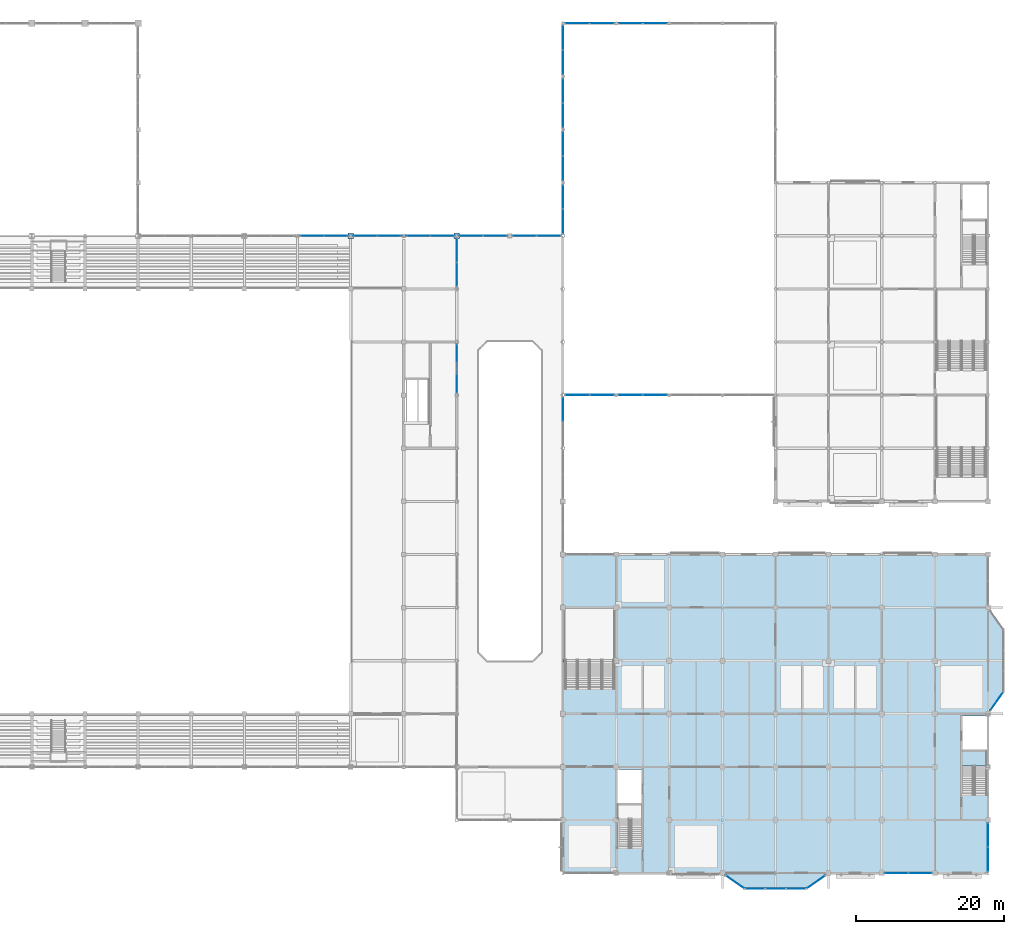
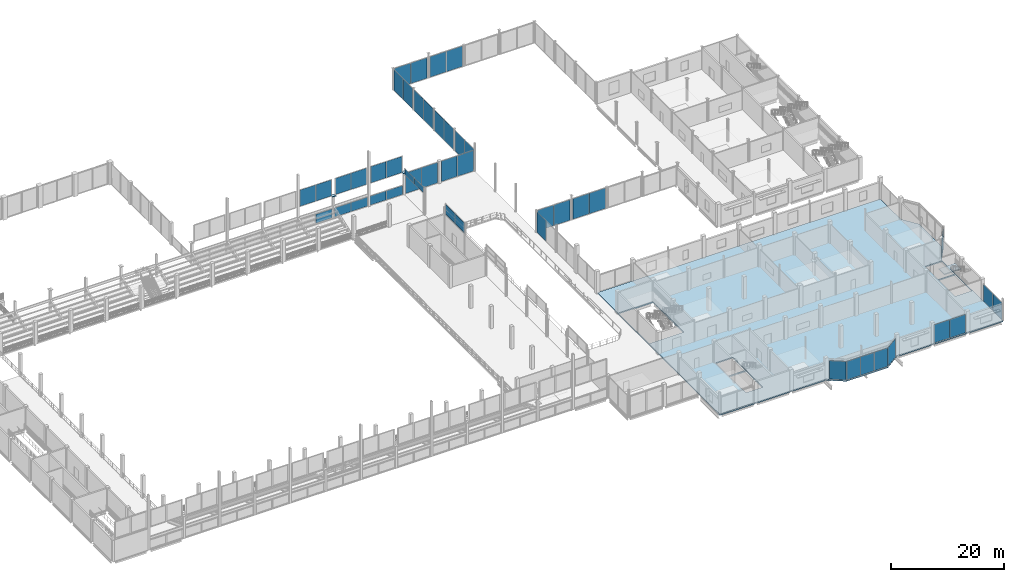
# One storey, part 84 of 120: 50 plates, 2 slabs, 27 elements without a shape of their own.
"""IFC4 building model written with IfcOpenShell, lengths in metres."""

from ifc_helpers import new_model, si_unit, direction, frame, origin, origin_2d, place, context, subcontext, project, spatial, polyline, rectangle, outline, extrude, material, layer, layer_set, type_object, element, aggregate, save


model = new_model("IFC4")

# Units and contexts
model_context = context("Model", 3, precision=1e-05, world=origin(), true_north=direction((0.0, 1.0)))
body_context = subcontext(model_context, "Body", "Model", "MODEL_VIEW")
ifc_project = project(units=[si_unit("LENGTHUNIT", "METRE"), si_unit("AREAUNIT", "SQUARE_METRE"), si_unit("VOLUMEUNIT", "CUBIC_METRE"), si_unit("PLANEANGLEUNIT", "RADIAN"), si_unit("MASSUNIT", "GRAM", prefix="KILO")], contexts=[model_context])

# Site, building, storey
site_placement = place(None, origin())
site = spatial("IfcSite", under=ifc_project, at=site_placement, CompositionType="ELEMENT")
building_placement = place(site_placement, origin())
building = spatial("IfcBuilding", under=site, at=building_placement, Name="Vesperath Aquatics Centre", CompositionType="ELEMENT")
storey_placement = place(building_placement, frame((0.0, 0.0, 10.199951171875)))
storey = spatial("IfcBuildingStorey", under=building, at=storey_placement, Name="L02", CompositionType="ELEMENT", Elevation=10.199951171875)

# Plates
ifc_material_1 = material(Name="Steel Q355D", Category="steel")
ifc_layer_1 = layer(ifc_material_1, 0.035888671875)
ifc_layer_set_1 = layer_set([ifc_layer_1], Name="Steel Q355D")
plate_type_1 = type_object("IfcPlateType", Name="PT-BP02", PredefinedType="SHEET", material=ifc_layer_set_1)
for number, where, z_axis, x_axis, name in (
    (1, (86.39990234375, 86.39990234375, 4.76220703125), (0.0, 0.0, 1.0), (1.0, 0.0, 0.0), "Truss Bearing Base Plate NP02 G13/N"),
    (2, (100.800048828125, 86.39990234375, 4.76220703125), (0.0, 0.0, 1.0), (1.0, 0.0, 0.0), "Truss Bearing Base Plate NP02 G15/N"),
):
    element("IfcPlate", number, at=place(storey_placement, frame(where, z_axis=z_axis, x_axis=x_axis)), inside=storey, type_object=plate_type_1, Name=name, PredefinedType="SHEET", context=body_context, shape_type="SweptSolid", body=[
        extrude(rectangle(XDim=0.75, YDim=0.75, at=origin_2d()), origin(), (0.0, 0.0, 1.0), 0.035888671875),
    ])

# Curtain wall, plate
ifc_material_2 = material(Name="Thermally broken anodised bronze aluminium curtain wall", Category="aluminium")
curtain_wall_type_1 = type_object("IfcCurtainWallType", Name="CW-02", PredefinedType="NOTDEFINED", material=ifc_material_2)
curtain_wall_1_placement = place(storey_placement, origin())
curtain_wall_1 = element("IfcCurtainWall", 3, at=curtain_wall_1_placement, inside=storey, type_object=curtain_wall_type_1, Name="South Boulevard Bow Oriel Curtain Wall L02-W", PredefinedType="NOTDEFINED")
ifc_material_3 = material(Name="Triple low-E argon insulated vision glass", Category="glass")
ifc_layer_2 = layer(ifc_material_3, 0.035888671875)
ifc_layer_set_2 = layer_set([ifc_layer_2], Name="Triple low-E argon insulated vision glass")
plate_type_2 = type_object("IfcPlateType", Name="PT-CWP02", PredefinedType="CURTAIN_PANEL", material=ifc_layer_set_2)
plate_1_placement = place(storey_placement, frame((138.514892578125, -1.200439453125, 0.06982421875), z_axis=(0.0, 0.0, 1.0), x_axis=(0.819231920515, -0.57346234437, 0.0)))
plate_1 = element("IfcPlate", 4, at=plate_1_placement, type_object=plate_type_2, Name="CW02 panel 1.1", PredefinedType="CURTAIN_PANEL", context=body_context, shape_type="SweptSolid", body=[
    extrude(rectangle(XDim=2.9970703125, YDim=0.035888671875, at=origin_2d()), origin(), (0.0, 0.0, 1.0), 3.969970703125),
])
aggregate(curtain_wall_1, [plate_1])

# Curtain wall, plates
curtain_wall_2_placement = place(storey_placement, origin())
curtain_wall_2 = element("IfcCurtainWall", 5, at=curtain_wall_2_placement, inside=storey, type_object=curtain_wall_type_1, Name="South Boulevard Bow Oriel Curtain Wall L02-C", PredefinedType="NOTDEFINED")
plate_2_placement = place(storey_placement, frame((141.217529296875, -2.10009765625, 0.06982421875), z_axis=(0.0, 0.0, 1.0), x_axis=(1.0, 0.0, 0.0)))
plate_2 = element("IfcPlate", 6, at=plate_2_placement, type_object=plate_type_2, Name="CW02 panel 1.1", PredefinedType="CURTAIN_PANEL", context=body_context, shape_type="SweptSolid", body=[
    extrude(rectangle(XDim=2.695068359375, YDim=0.035888671875, at=origin_2d()), origin(), (0.0, 0.0, 1.0), 3.969970703125),
])
plate_3_placement = place(storey_placement, frame((144.0, -2.10009765625, 0.06982421875), z_axis=(0.0, 0.0, 1.0), x_axis=(1.0, 0.0, 0.0)))
plate_3 = element("IfcPlate", 7, at=plate_3_placement, type_object=plate_type_2, Name="CW02 panel 2.1", PredefinedType="CURTAIN_PANEL", context=body_context, shape_type="SweptSolid", body=[
    extrude(rectangle(XDim=2.72998046875, YDim=0.035888671875, at=origin_2d()), origin(), (0.0, 0.0, 1.0), 3.969970703125),
])
plate_4_placement = place(storey_placement, frame((146.782470703125, -2.10009765625, 0.06982421875), z_axis=(0.0, 0.0, 1.0), x_axis=(1.0, 0.0, 0.0)))
plate_4 = element("IfcPlate", 8, at=plate_4_placement, type_object=plate_type_2, Name="CW02 panel 3.1", PredefinedType="CURTAIN_PANEL", context=body_context, shape_type="SweptSolid", body=[
    extrude(rectangle(XDim=2.695068359375, YDim=0.035888671875, at=origin_2d()), origin(), (0.0, 0.0, 1.0), 3.969970703125),
])
aggregate(curtain_wall_2, [plate_2, plate_3, plate_4])

# Curtain wall, plate
curtain_wall_3_placement = place(storey_placement, origin())
curtain_wall_3 = element("IfcCurtainWall", 9, at=curtain_wall_3_placement, inside=storey, type_object=curtain_wall_type_1, Name="South Boulevard Bow Oriel Curtain Wall L02-E", PredefinedType="NOTDEFINED")
plate_5_placement = place(storey_placement, frame((149.485107421875, -1.200439453125, 0.06982421875), z_axis=(0.0, 0.0, 1.0), x_axis=(0.819231920515, 0.57346234437, 0.0)))
plate_5 = element("IfcPlate", 10, at=plate_5_placement, type_object=plate_type_2, Name="CW02 panel 1.1", PredefinedType="CURTAIN_PANEL", context=body_context, shape_type="SweptSolid", body=[
    extrude(rectangle(XDim=2.9970703125, YDim=0.035888671875, at=origin_2d()), origin(), (0.0, 0.0, 1.0), 3.969970703125),
])
aggregate(curtain_wall_3, [plate_5])

# Curtain wall, plates
curtain_wall_type_2 = type_object("IfcCurtainWallType", Name="CW-06", PredefinedType="NOTDEFINED", material=ifc_material_2)
curtain_wall_4_placement = place(storey_placement, origin())
curtain_wall_4 = element("IfcCurtainWall", 11, at=curtain_wall_4_placement, inside=storey, type_object=curtain_wall_type_2, Name="Facade Curtain Wall CW06 L02_S_22_00", PredefinedType="NOTDEFINED")
ifc_layer_3 = layer(ifc_material_3, 0.035888671875)
ifc_layer_set_3 = layer_set([ifc_layer_3], Name="Triple low-E argon insulated vision glass")
plate_type_3 = type_object("IfcPlateType", Name="PT-CWP05", PredefinedType="CURTAIN_PANEL", material=ifc_layer_set_3)
plate_6_placement = place(storey_placement, frame((160.392578125, 0.0, 0.0703125), z_axis=(0.0, 0.0, 1.0), x_axis=(1.0, 0.0, 0.0)))
plate_6 = element("IfcPlate", 12, at=plate_6_placement, type_object=plate_type_3, Name="CW06 panel 1.1", PredefinedType="CURTAIN_PANEL", context=body_context, shape_type="SweptSolid", body=[
    extrude(rectangle(XDim=3.14501953125, YDim=0.035888671875, at=origin_2d()), origin(), (0.0, 0.0, 1.0), 3.931884765625),
])
plate_7_placement = place(storey_placement, frame((163.607421875, 0.0, 0.0703125), z_axis=(0.0, 0.0, 1.0), x_axis=(1.0, 0.0, 0.0)))
plate_7 = element("IfcPlate", 13, at=plate_7_placement, type_object=plate_type_3, Name="CW06 panel 2.1", PredefinedType="CURTAIN_PANEL", context=body_context, shape_type="SweptSolid", body=[
    extrude(rectangle(XDim=3.14501953125, YDim=0.035888671875, at=origin_2d()), origin(), (0.0, 0.0, 1.0), 3.931884765625),
])
aggregate(curtain_wall_4, [plate_6, plate_7])

curtain_wall_5_placement = place(storey_placement, origin())
curtain_wall_5 = element("IfcCurtainWall", 14, at=curtain_wall_5_placement, inside=storey, type_object=curtain_wall_type_2, Name="Facade Curtain Wall CW06 L02_S_16_09", PredefinedType="NOTDEFINED")
plate_8_placement = place(storey_placement, frame((117.13818359375, 64.800048828125, 0.070068359375), z_axis=(0.0, 0.0, 1.0), x_axis=(1.0, 0.0, 0.0)))
plate_8 = element("IfcPlate", 15, at=plate_8_placement, type_object=plate_type_3, Name="CW06 panel 1.1", PredefinedType="CURTAIN_PANEL", context=body_context, shape_type="SweptSolid", body=[
    extrude(rectangle(XDim=3.279052734375, YDim=0.035888671875, at=origin_2d()), origin(), (0.0, 0.0, 1.0), 4.419921875),
])
plate_9_placement = place(storey_placement, frame((120.4873046875, 64.800048828125, 0.070068359375), z_axis=(0.0, 0.0, 1.0), x_axis=(1.0, 0.0, 0.0)))
plate_9 = element("IfcPlate", 16, at=plate_9_placement, type_object=plate_type_3, Name="CW06 panel 2.1", PredefinedType="CURTAIN_PANEL", context=body_context, shape_type="SweptSolid", body=[
    extrude(rectangle(XDim=3.279052734375, YDim=0.035888671875, at=origin_2d()), origin(), (0.0, 0.0, 1.0), 4.419921875),
])
aggregate(curtain_wall_5, [plate_8, plate_9])

curtain_wall_6_placement = place(storey_placement, origin())
curtain_wall_6 = element("IfcCurtainWall", 17, at=curtain_wall_6_placement, inside=storey, type_object=curtain_wall_type_2, Name="Facade Curtain Wall CW06 L02_S_17_09", PredefinedType="NOTDEFINED")
plate_10_placement = place(storey_placement, frame((124.319091796875, 64.800048828125, 0.070068359375), z_axis=(0.0, 0.0, 1.0), x_axis=(1.0, 0.0, 0.0)))
plate_10 = element("IfcPlate", 18, at=plate_10_placement, type_object=plate_type_3, Name="CW06 panel 1.1", PredefinedType="CURTAIN_PANEL", context=body_context, shape_type="SweptSolid", body=[
    extrude(rectangle(XDim=3.291748046875, YDim=0.035888671875, at=origin_2d()), origin(), (0.0, 0.0, 1.0), 4.419921875),
])
plate_11_placement = place(storey_placement, frame((127.680908203125, 64.800048828125, 0.070068359375), z_axis=(0.0, 0.0, 1.0), x_axis=(1.0, 0.0, 0.0)))
plate_11 = element("IfcPlate", 19, at=plate_11_placement, type_object=plate_type_3, Name="CW06 panel 2.1", PredefinedType="CURTAIN_PANEL", context=body_context, shape_type="SweptSolid", body=[
    extrude(rectangle(XDim=3.291748046875, YDim=0.035888671875, at=origin_2d()), origin(), (0.0, 0.0, 1.0), 4.419921875),
])
aggregate(curtain_wall_6, [plate_10, plate_11])

# Curtain wall, plate
curtain_wall_7_placement = place(storey_placement, origin())
curtain_wall_7 = element("IfcCurtainWall", 20, at=curtain_wall_7_placement, inside=storey, type_object=curtain_wall_type_2, Name="Facade Curtain Wall CW06 L02_N_11_12", PredefinedType="NOTDEFINED")
plate_12_placement = place(storey_placement, frame((84.480712890625, 86.39990234375, 0.070068359375), z_axis=(0.0, 0.0, 1.0), x_axis=(1.0, 0.0, 0.0)))
plate_12 = element("IfcPlate", 21, at=plate_12_placement, type_object=plate_type_3, Name="CW06 panel 2.1", PredefinedType="CURTAIN_PANEL", context=body_context, shape_type="SweptSolid", body=[
    extrude(rectangle(XDim=3.29150390625, YDim=0.035888671875, at=origin_2d()), origin(), (0.0, 0.0, 1.0), 1.93994140625),
])
aggregate(curtain_wall_7, [plate_12])

# Curtain wall, plates
curtain_wall_8_placement = place(storey_placement, origin())
curtain_wall_8 = element("IfcCurtainWall", 22, at=curtain_wall_8_placement, inside=storey, type_object=curtain_wall_type_2, Name="Facade Curtain Wall CW06 L02_N_12_12", PredefinedType="NOTDEFINED")
plate_13_placement = place(storey_placement, frame((88.3193359375, 86.39990234375, 0.070068359375), z_axis=(0.0, 0.0, 1.0), x_axis=(1.0, 0.0, 0.0)))
plate_13 = element("IfcPlate", 23, at=plate_13_placement, type_object=plate_type_3, Name="CW06 panel 1.1", PredefinedType="CURTAIN_PANEL", context=body_context, shape_type="SweptSolid", body=[
    extrude(rectangle(XDim=3.29150390625, YDim=0.035888671875, at=origin_2d()), origin(), (0.0, 0.0, 1.0), 1.93994140625),
])
plate_14_placement = place(storey_placement, frame((91.6806640625, 86.39990234375, 0.070068359375), z_axis=(0.0, 0.0, 1.0), x_axis=(1.0, 0.0, 0.0)))
plate_14 = element("IfcPlate", 24, at=plate_14_placement, type_object=plate_type_3, Name="CW06 panel 2.1", PredefinedType="CURTAIN_PANEL", context=body_context, shape_type="SweptSolid", body=[
    extrude(rectangle(XDim=3.29150390625, YDim=0.035888671875, at=origin_2d()), origin(), (0.0, 0.0, 1.0), 1.93994140625),
])
aggregate(curtain_wall_8, [plate_13, plate_14])

curtain_wall_9_placement = place(storey_placement, origin())
curtain_wall_9 = element("IfcCurtainWall", 25, at=curtain_wall_9_placement, inside=storey, type_object=curtain_wall_type_2, Name="Facade Curtain Wall CW06 L02_N_13_12", PredefinedType="NOTDEFINED")
plate_15_placement = place(storey_placement, frame((95.519287109375, 86.39990234375, 0.070068359375), z_axis=(0.0, 0.0, 1.0), x_axis=(1.0, 0.0, 0.0)))
plate_15 = element("IfcPlate", 26, at=plate_15_placement, type_object=plate_type_3, Name="CW06 panel 1.1", PredefinedType="CURTAIN_PANEL", context=body_context, shape_type="SweptSolid", body=[
    extrude(rectangle(XDim=3.29150390625, YDim=0.035888671875, at=origin_2d()), origin(), (0.0, 0.0, 1.0), 1.93994140625),
])
plate_16_placement = place(storey_placement, frame((98.880859375, 86.39990234375, 0.070068359375), z_axis=(0.0, 0.0, 1.0), x_axis=(1.0, 0.0, 0.0)))
plate_16 = element("IfcPlate", 27, at=plate_16_placement, type_object=plate_type_3, Name="CW06 panel 2.1", PredefinedType="CURTAIN_PANEL", context=body_context, shape_type="SweptSolid", body=[
    extrude(rectangle(XDim=3.29150390625, YDim=0.035888671875, at=origin_2d()), origin(), (0.0, 0.0, 1.0), 1.93994140625),
])
aggregate(curtain_wall_9, [plate_15, plate_16])

curtain_wall_10_placement = place(storey_placement, origin())
curtain_wall_10 = element("IfcCurtainWall", 28, at=curtain_wall_10_placement, inside=storey, type_object=curtain_wall_type_2, Name="Facade Curtain Wall CW06 L02_N_14_12", PredefinedType="NOTDEFINED")
plate_17_placement = place(storey_placement, frame((102.695068359375, 86.39990234375, 0.070068359375), z_axis=(0.0, 0.0, 1.0), x_axis=(1.0, 0.0, 0.0)))
plate_17 = element("IfcPlate", 29, at=plate_17_placement, type_object=plate_type_3, Name="CW06 panel 1.1", PredefinedType="CURTAIN_PANEL", context=body_context, shape_type="SweptSolid", body=[
    extrude(rectangle(XDim=3.2431640625, YDim=0.035888671875, at=origin_2d()), origin(), (0.0, 0.0, 1.0), 4.419921875),
])
plate_18_placement = place(storey_placement, frame((106.00830078125, 86.39990234375, 0.070068359375), z_axis=(0.0, 0.0, 1.0), x_axis=(1.0, 0.0, 0.0)))
plate_18 = element("IfcPlate", 30, at=plate_18_placement, type_object=plate_type_3, Name="CW06 panel 2.1", PredefinedType="CURTAIN_PANEL", context=body_context, shape_type="SweptSolid", body=[
    extrude(rectangle(XDim=3.2431640625, YDim=0.035888671875, at=origin_2d()), origin(), (0.0, 0.0, 1.0), 4.419921875),
])
aggregate(curtain_wall_10, [plate_17, plate_18])

curtain_wall_11_placement = place(storey_placement, origin())
curtain_wall_11 = element("IfcCurtainWall", 31, at=curtain_wall_11_placement, inside=storey, type_object=curtain_wall_type_2, Name="Facade Curtain Wall CW06 L02_N_15_12", PredefinedType="NOTDEFINED")
plate_19_placement = place(storey_placement, frame((109.9853515625, 86.39990234375, 0.070068359375), z_axis=(0.0, 0.0, 1.0), x_axis=(1.0, 0.0, 0.0)))
plate_19 = element("IfcPlate", 32, at=plate_19_placement, type_object=plate_type_3, Name="CW06 panel 1.1", PredefinedType="CURTAIN_PANEL", context=body_context, shape_type="SweptSolid", body=[
    extrude(rectangle(XDim=3.230712890625, YDim=0.035888671875, at=origin_2d()), origin(), (0.0, 0.0, 1.0), 4.419921875),
])
plate_20_placement = place(storey_placement, frame((113.2861328125, 86.39990234375, 0.070068359375), z_axis=(0.0, 0.0, 1.0), x_axis=(1.0, 0.0, 0.0)))
plate_20 = element("IfcPlate", 33, at=plate_20_placement, type_object=plate_type_3, Name="CW06 panel 2.1", PredefinedType="CURTAIN_PANEL", context=body_context, shape_type="SweptSolid", body=[
    extrude(rectangle(XDim=3.230712890625, YDim=0.035888671875, at=origin_2d()), origin(), (0.0, 0.0, 1.0), 4.419921875),
])
aggregate(curtain_wall_11, [plate_19, plate_20])

curtain_wall_12_placement = place(storey_placement, origin())
curtain_wall_12 = element("IfcCurtainWall", 34, at=curtain_wall_12_placement, inside=storey, type_object=curtain_wall_type_2, Name="Facade Curtain Wall CW06 L02_N_16_16", PredefinedType="NOTDEFINED")
plate_21_placement = place(storey_placement, frame((117.119140625, 115.199951171875, 0.070068359375), z_axis=(0.0, 0.0, 1.0), x_axis=(1.0, 0.0, 0.0)))
plate_21 = element("IfcPlate", 35, at=plate_21_placement, type_object=plate_type_3, Name="CW06 panel 1.1", PredefinedType="CURTAIN_PANEL", context=body_context, shape_type="SweptSolid", body=[
    extrude(rectangle(XDim=3.291748046875, YDim=0.035888671875, at=origin_2d()), origin(), (0.0, 0.0, 1.0), 4.419921875),
])
plate_22_placement = place(storey_placement, frame((120.48095703125, 115.199951171875, 0.070068359375), z_axis=(0.0, 0.0, 1.0), x_axis=(1.0, 0.0, 0.0)))
plate_22 = element("IfcPlate", 36, at=plate_22_placement, type_object=plate_type_3, Name="CW06 panel 2.1", PredefinedType="CURTAIN_PANEL", context=body_context, shape_type="SweptSolid", body=[
    extrude(rectangle(XDim=3.291748046875, YDim=0.035888671875, at=origin_2d()), origin(), (0.0, 0.0, 1.0), 4.419921875),
])
aggregate(curtain_wall_12, [plate_21, plate_22])

curtain_wall_13_placement = place(storey_placement, origin())
curtain_wall_13 = element("IfcCurtainWall", 37, at=curtain_wall_13_placement, inside=storey, type_object=curtain_wall_type_2, Name="Facade Curtain Wall CW06 L02_N_17_16", PredefinedType="NOTDEFINED")
plate_23_placement = place(storey_placement, frame((124.319091796875, 115.199951171875, 0.070068359375), z_axis=(0.0, 0.0, 1.0), x_axis=(1.0, 0.0, 0.0)))
plate_23 = element("IfcPlate", 38, at=plate_23_placement, type_object=plate_type_3, Name="CW06 panel 1.1", PredefinedType="CURTAIN_PANEL", context=body_context, shape_type="SweptSolid", body=[
    extrude(rectangle(XDim=3.291748046875, YDim=0.035888671875, at=origin_2d()), origin(), (0.0, 0.0, 1.0), 4.419921875),
])
plate_24_placement = place(storey_placement, frame((127.680908203125, 115.199951171875, 0.070068359375), z_axis=(0.0, 0.0, 1.0), x_axis=(1.0, 0.0, 0.0)))
plate_24 = element("IfcPlate", 39, at=plate_24_placement, type_object=plate_type_3, Name="CW06 panel 2.1", PredefinedType="CURTAIN_PANEL", context=body_context, shape_type="SweptSolid", body=[
    extrude(rectangle(XDim=3.291748046875, YDim=0.035888671875, at=origin_2d()), origin(), (0.0, 0.0, 1.0), 4.419921875),
])
aggregate(curtain_wall_13, [plate_23, plate_24])

# Curtain wall, plate
curtain_wall_14_placement = place(storey_placement, origin())
curtain_wall_14 = element("IfcCurtainWall", 40, at=curtain_wall_14_placement, inside=storey, type_object=curtain_wall_type_2, Name="Facade Curtain Wall CW06 L02_E_16_08", PredefinedType="NOTDEFINED")
plate_25_placement = place(storey_placement, frame((115.199951171875, 62.8681640625, 0.070068359375), z_axis=(0.0, 0.0, 1.0), x_axis=(0.0, 1.0, 0.0)))
plate_25 = element("IfcPlate", 41, at=plate_25_placement, type_object=plate_type_3, Name="CW06 panel 2.1", PredefinedType="CURTAIN_PANEL", context=body_context, shape_type="SweptSolid", body=[
    extrude(rectangle(XDim=3.2666015625, YDim=0.035888671875, at=origin_2d()), origin(), (0.0, 0.0, 1.0), 4.419921875),
])
aggregate(curtain_wall_14, [plate_25])

# Curtain wall, plates
curtain_wall_15_placement = place(storey_placement, origin())
curtain_wall_15 = element("IfcCurtainWall", 42, at=curtain_wall_15_placement, inside=storey, type_object=curtain_wall_type_2, Name="Facade Curtain Wall CW06 L02_W_16_12", PredefinedType="NOTDEFINED")
plate_26_placement = place(storey_placement, frame((115.199951171875, 88.338134765625, 0.070068359375), z_axis=(0.0, 0.0, 1.0), x_axis=(0.0, 1.0, 0.0)))
plate_26 = element("IfcPlate", 43, at=plate_26_placement, type_object=plate_type_3, Name="CW06 panel 1.1", PredefinedType="CURTAIN_PANEL", context=body_context, shape_type="SweptSolid", body=[
    extrude(rectangle(XDim=3.279052734375, YDim=0.035888671875, at=origin_2d()), origin(), (0.0, 0.0, 1.0), 4.419921875),
])
plate_27_placement = place(storey_placement, frame((115.199951171875, 91.687255859375, 0.070068359375), z_axis=(0.0, 0.0, 1.0), x_axis=(0.0, 1.0, 0.0)))
plate_27 = element("IfcPlate", 44, at=plate_27_placement, type_object=plate_type_3, Name="CW06 panel 2.1", PredefinedType="CURTAIN_PANEL", context=body_context, shape_type="SweptSolid", body=[
    extrude(rectangle(XDim=3.279052734375, YDim=0.035888671875, at=origin_2d()), origin(), (0.0, 0.0, 1.0), 4.419921875),
])
aggregate(curtain_wall_15, [plate_26, plate_27])

curtain_wall_16_placement = place(storey_placement, origin())
curtain_wall_16 = element("IfcCurtainWall", 45, at=curtain_wall_16_placement, inside=storey, type_object=curtain_wall_type_2, Name="Facade Curtain Wall CW06 L02_W_16_13", PredefinedType="NOTDEFINED")
plate_28_placement = place(storey_placement, frame((115.199951171875, 95.51904296875, 0.070068359375), z_axis=(0.0, 0.0, 1.0), x_axis=(0.0, 1.0, 0.0)))
plate_28 = element("IfcPlate", 46, at=plate_28_placement, type_object=plate_type_3, Name="CW06 panel 1.1", PredefinedType="CURTAIN_PANEL", context=body_context, shape_type="SweptSolid", body=[
    extrude(rectangle(XDim=3.291748046875, YDim=0.035888671875, at=origin_2d()), origin(), (0.0, 0.0, 1.0), 4.419921875),
])
plate_29_placement = place(storey_placement, frame((115.199951171875, 98.880859375, 0.070068359375), z_axis=(0.0, 0.0, 1.0), x_axis=(0.0, 1.0, 0.0)))
plate_29 = element("IfcPlate", 47, at=plate_29_placement, type_object=plate_type_3, Name="CW06 panel 2.1", PredefinedType="CURTAIN_PANEL", context=body_context, shape_type="SweptSolid", body=[
    extrude(rectangle(XDim=3.291748046875, YDim=0.035888671875, at=origin_2d()), origin(), (0.0, 0.0, 1.0), 4.419921875),
])
aggregate(curtain_wall_16, [plate_28, plate_29])

curtain_wall_17_placement = place(storey_placement, origin())
curtain_wall_17 = element("IfcCurtainWall", 48, at=curtain_wall_17_placement, inside=storey, type_object=curtain_wall_type_2, Name="Facade Curtain Wall CW06 L02_W_16_14", PredefinedType="NOTDEFINED")
plate_30_placement = place(storey_placement, frame((115.199951171875, 102.718994140625, 0.070068359375), z_axis=(0.0, 0.0, 1.0), x_axis=(0.0, 1.0, 0.0)))
plate_30 = element("IfcPlate", 49, at=plate_30_placement, type_object=plate_type_3, Name="CW06 panel 1.1", PredefinedType="CURTAIN_PANEL", context=body_context, shape_type="SweptSolid", body=[
    extrude(rectangle(XDim=3.291748046875, YDim=0.035888671875, at=origin_2d()), origin(), (0.0, 0.0, 1.0), 4.419921875),
])
plate_31_placement = place(storey_placement, frame((115.199951171875, 106.080810546875, 0.070068359375), z_axis=(0.0, 0.0, 1.0), x_axis=(0.0, 1.0, 0.0)))
plate_31 = element("IfcPlate", 50, at=plate_31_placement, type_object=plate_type_3, Name="CW06 panel 2.1", PredefinedType="CURTAIN_PANEL", context=body_context, shape_type="SweptSolid", body=[
    extrude(rectangle(XDim=3.291748046875, YDim=0.035888671875, at=origin_2d()), origin(), (0.0, 0.0, 1.0), 4.419921875),
])
aggregate(curtain_wall_17, [plate_30, plate_31])

curtain_wall_18_placement = place(storey_placement, origin())
curtain_wall_18 = element("IfcCurtainWall", 51, at=curtain_wall_18_placement, inside=storey, type_object=curtain_wall_type_2, Name="Facade Curtain Wall CW06 L02_W_16_15", PredefinedType="NOTDEFINED")
plate_32_placement = place(storey_placement, frame((115.199951171875, 109.919189453125, 0.070068359375), z_axis=(0.0, 0.0, 1.0), x_axis=(0.0, 1.0, 0.0)))
plate_32 = element("IfcPlate", 52, at=plate_32_placement, type_object=plate_type_3, Name="CW06 panel 1.1", PredefinedType="CURTAIN_PANEL", context=body_context, shape_type="SweptSolid", body=[
    extrude(rectangle(XDim=3.291748046875, YDim=0.035888671875, at=origin_2d()), origin(), (0.0, 0.0, 1.0), 4.419921875),
])
plate_33_placement = place(storey_placement, frame((115.199951171875, 113.281005859375, 0.070068359375), z_axis=(0.0, 0.0, 1.0), x_axis=(0.0, 1.0, 0.0)))
plate_33 = element("IfcPlate", 53, at=plate_33_placement, type_object=plate_type_3, Name="CW06 panel 2.1", PredefinedType="CURTAIN_PANEL", context=body_context, shape_type="SweptSolid", body=[
    extrude(rectangle(XDim=3.291748046875, YDim=0.035888671875, at=origin_2d()), origin(), (0.0, 0.0, 1.0), 4.419921875),
])
aggregate(curtain_wall_18, [plate_32, plate_33])

curtain_wall_19_placement = place(storey_placement, origin())
curtain_wall_19 = element("IfcCurtainWall", 54, at=curtain_wall_19_placement, inside=storey, type_object=curtain_wall_type_2, Name="Facade Curtain Wall CW06 L02_E_24_00", PredefinedType="NOTDEFINED")
plate_34_placement = place(storey_placement, frame((172.800048828125, 1.8798828125, 0.070068359375), z_axis=(0.0, 0.0, 1.0), x_axis=(0.0, 1.0, 0.0)))
plate_34 = element("IfcPlate", 55, at=plate_34_placement, type_object=plate_type_3, Name="CW06 panel 1.1", PredefinedType="CURTAIN_PANEL", context=body_context, shape_type="SweptSolid", body=[
    extrude(rectangle(XDim=3.219970703125, YDim=0.035888671875, at=origin_2d()), origin(), (0.0, 0.0, 1.0), 3.6201171875),
])
plate_35_placement = place(storey_placement, frame((172.800048828125, 5.169921875, 0.070068359375), z_axis=(0.0, 0.0, 1.0), x_axis=(0.0, 1.0, 0.0)))
plate_35 = element("IfcPlate", 56, at=plate_35_placement, type_object=plate_type_3, Name="CW06 panel 2.1", PredefinedType="CURTAIN_PANEL", context=body_context, shape_type="SweptSolid", body=[
    extrude(rectangle(XDim=3.219970703125, YDim=0.035888671875, at=origin_2d()), origin(), (0.0, 0.0, 1.0), 3.6201171875),
])
aggregate(curtain_wall_19, [plate_34, plate_35])

# Curtain wall, plate
curtain_wall_20_placement = place(storey_placement, origin())
curtain_wall_20 = element("IfcCurtainWall", 57, at=curtain_wall_20_placement, inside=storey, type_object=curtain_wall_type_2, Name="East Avenue Bow Oriel Curtain Wall L02-S", PredefinedType="NOTDEFINED")
plate_36_placement = place(storey_placement, frame((174.00048828125, 23.31494140625, 0.06982421875), z_axis=(0.0, 0.0, 1.0), x_axis=(0.57346234437, 0.819231920515, 0.0)))
plate_36 = element("IfcPlate", 58, at=plate_36_placement, type_object=plate_type_3, Name="CW06 panel 1.1", PredefinedType="CURTAIN_PANEL", context=body_context, shape_type="SweptSolid", body=[
    extrude(rectangle(XDim=2.9970703125, YDim=0.035888671875, at=origin_2d()), origin(), (0.0, 0.0, 1.0), 3.969970703125),
])
aggregate(curtain_wall_20, [plate_36])

# Curtain wall, plates
curtain_wall_type_3 = type_object("IfcCurtainWallType", Name="CW-08", PredefinedType="NOTDEFINED", material=ifc_material_2)
curtain_wall_21_placement = place(storey_placement, origin())
curtain_wall_21 = element("IfcCurtainWall", 59, at=curtain_wall_21_placement, inside=storey, type_object=curtain_wall_type_3, Name="Natatorium Gable East Curtain Wall CW08 N-6E", PredefinedType="NOTDEFINED")
ifc_layer_4 = layer(ifc_material_3, 0.035888671875)
ifc_layer_set_4 = layer_set([ifc_layer_4], Name="Triple low-E argon insulated vision glass")
plate_type_4 = type_object("IfcPlateType", Name="PT-CWP07", PredefinedType="CURTAIN_PANEL", material=ifc_layer_set_4)
plate_37_placement = place(storey_placement, frame((81.19384765625, 86.39990234375, 4.824951171875), z_axis=(0.0, 0.0, 1.0), x_axis=(1.0, 0.0, 0.0)))
plate_37 = element("IfcPlate", 60, at=plate_37_placement, type_object=plate_type_4, Name="CW08 panel 1.1", PredefinedType="CURTAIN_PANEL", context=body_context, shape_type="SweptSolid", body=[
    extrude(rectangle(XDim=3.137451171875, YDim=0.035888671875, at=origin_2d()), origin(), (0.0, 0.0, 1.0), 3.5),
])
plate_38_placement = place(storey_placement, frame((84.40625, 86.39990234375, 4.824951171875), z_axis=(0.0, 0.0, 1.0), x_axis=(1.0, 0.0, 0.0)))
plate_38 = element("IfcPlate", 61, at=plate_38_placement, type_object=plate_type_4, Name="CW08 panel 2.1", PredefinedType="CURTAIN_PANEL", context=body_context, shape_type="SweptSolid", body=[
    extrude(rectangle(XDim=3.137451171875, YDim=0.035888671875, at=origin_2d()), origin(), (0.0, 0.0, 1.0), 3.5),
])
aggregate(curtain_wall_21, [plate_37, plate_38])

curtain_wall_22_placement = place(storey_placement, origin())
curtain_wall_22 = element("IfcCurtainWall", 62, at=curtain_wall_22_placement, inside=storey, type_object=curtain_wall_type_3, Name="Natatorium Gable West Curtain Wall CW08 N-7W", PredefinedType="NOTDEFINED")
plate_39_placement = place(storey_placement, frame((88.393798828125, 86.39990234375, 4.824951171875), z_axis=(0.0, 0.0, 1.0), x_axis=(1.0, 0.0, 0.0)))
plate_39 = element("IfcPlate", 63, at=plate_39_placement, type_object=plate_type_4, Name="CW08 panel 1.1", PredefinedType="CURTAIN_PANEL", context=body_context, shape_type="SweptSolid", body=[
    extrude(rectangle(XDim=3.137451171875, YDim=0.035888671875, at=origin_2d()), origin(), (0.0, 0.0, 1.0), 3.5),
])
plate_40_placement = place(storey_placement, frame((91.606201171875, 86.39990234375, 4.824951171875), z_axis=(0.0, 0.0, 1.0), x_axis=(1.0, 0.0, 0.0)))
plate_40 = element("IfcPlate", 64, at=plate_40_placement, type_object=plate_type_4, Name="CW08 panel 2.1", PredefinedType="CURTAIN_PANEL", context=body_context, shape_type="SweptSolid", body=[
    extrude(rectangle(XDim=3.137451171875, YDim=0.035888671875, at=origin_2d()), origin(), (0.0, 0.0, 1.0), 3.5),
])
aggregate(curtain_wall_22, [plate_39, plate_40])

curtain_wall_23_placement = place(storey_placement, origin())
curtain_wall_23 = element("IfcCurtainWall", 65, at=curtain_wall_23_placement, inside=storey, type_object=curtain_wall_type_3, Name="Natatorium Gable East Curtain Wall CW08 N-7E", PredefinedType="NOTDEFINED")
plate_41_placement = place(storey_placement, frame((95.59375, 86.39990234375, 4.824951171875), z_axis=(0.0, 0.0, 1.0), x_axis=(1.0, 0.0, 0.0)))
plate_41 = element("IfcPlate", 66, at=plate_41_placement, type_object=plate_type_4, Name="CW08 panel 1.1", PredefinedType="CURTAIN_PANEL", context=body_context, shape_type="SweptSolid", body=[
    extrude(rectangle(XDim=3.137451171875, YDim=0.035888671875, at=origin_2d()), origin(), (0.0, 0.0, 1.0), 3.5),
])
plate_42_placement = place(storey_placement, frame((98.80615234375, 86.39990234375, 4.824951171875), z_axis=(0.0, 0.0, 1.0), x_axis=(1.0, 0.0, 0.0)))
plate_42 = element("IfcPlate", 67, at=plate_42_placement, type_object=plate_type_4, Name="CW08 panel 2.1", PredefinedType="CURTAIN_PANEL", context=body_context, shape_type="SweptSolid", body=[
    extrude(rectangle(XDim=3.137451171875, YDim=0.035888671875, at=origin_2d()), origin(), (0.0, 0.0, 1.0), 3.5),
])
aggregate(curtain_wall_23, [plate_41, plate_42])

curtain_wall_type_4 = type_object("IfcCurtainWallType", Name="CW-10", PredefinedType="NOTDEFINED", material=ifc_material_2)
curtain_wall_24_placement = place(storey_placement, origin())
curtain_wall_24 = element("IfcCurtainWall", 68, at=curtain_wall_24_placement, inside=storey, type_object=curtain_wall_type_4, Name="Conservatory Vault Clerestory CW10 W-10", PredefinedType="NOTDEFINED")
plate_43_placement = place(storey_placement, frame((100.800048828125, 66.742431640625, 4.469970703125), z_axis=(0.0, 0.0, 1.0), x_axis=(0.0, 1.0, 0.0)))
plate_43 = element("IfcPlate", 69, at=plate_43_placement, type_object=plate_type_4, Name="CW10 panel 1.1", PredefinedType="CURTAIN_PANEL", context=body_context, shape_type="SweptSolid", body=[
    extrude(rectangle(XDim=3.2451171875, YDim=0.035888671875, at=origin_2d()), origin(), (0.0, 0.0, 1.0), 1.2099609375),
])
plate_44_placement = place(storey_placement, frame((100.800048828125, 70.0576171875, 4.469970703125), z_axis=(0.0, 0.0, 1.0), x_axis=(0.0, 1.0, 0.0)))
plate_44 = element("IfcPlate", 70, at=plate_44_placement, type_object=plate_type_4, Name="CW10 panel 2.1", PredefinedType="CURTAIN_PANEL", context=body_context, shape_type="SweptSolid", body=[
    extrude(rectangle(XDim=3.2451171875, YDim=0.035888671875, at=origin_2d()), origin(), (0.0, 0.0, 1.0), 1.2099609375),
])
aggregate(curtain_wall_24, [plate_43, plate_44])

curtain_wall_25_placement = place(storey_placement, origin())
curtain_wall_25 = element("IfcCurtainWall", 71, at=curtain_wall_25_placement, inside=storey, type_object=curtain_wall_type_4, Name="Conservatory Vault Clerestory CW10 W-12", PredefinedType="NOTDEFINED")
plate_45_placement = place(storey_placement, frame((100.800048828125, 81.142578125, 4.469970703125), z_axis=(0.0, 0.0, 1.0), x_axis=(0.0, 1.0, 0.0)))
plate_45 = element("IfcPlate", 72, at=plate_45_placement, type_object=plate_type_4, Name="CW10 panel 1.1", PredefinedType="CURTAIN_PANEL", context=body_context, shape_type="SweptSolid", body=[
    extrude(rectangle(XDim=3.2451171875, YDim=0.035888671875, at=origin_2d()), origin(), (0.0, 0.0, 1.0), 1.2099609375),
])
plate_46_placement = place(storey_placement, frame((100.800048828125, 84.45751953125, 4.469970703125), z_axis=(0.0, 0.0, 1.0), x_axis=(0.0, 1.0, 0.0)))
plate_46 = element("IfcPlate", 73, at=plate_46_placement, type_object=plate_type_4, Name="CW10 panel 2.1", PredefinedType="CURTAIN_PANEL", context=body_context, shape_type="SweptSolid", body=[
    extrude(rectangle(XDim=3.2451171875, YDim=0.035888671875, at=origin_2d()), origin(), (0.0, 0.0, 1.0), 1.2099609375),
])
aggregate(curtain_wall_25, [plate_45, plate_46])

curtain_wall_type_5 = type_object("IfcCurtainWallType", Name="CW-09", PredefinedType="NOTDEFINED", material=ifc_material_2)
curtain_wall_26_placement = place(storey_placement, origin())
curtain_wall_26 = element("IfcCurtainWall", 74, at=curtain_wall_26_placement, inside=storey, type_object=curtain_wall_type_5, Name="Natatorium End Clerestory Curtain Wall CW09 E-10", PredefinedType="NOTDEFINED")
ifc_layer_5 = layer(ifc_material_3, 0.0380859375)
ifc_layer_set_5 = layer_set([ifc_layer_5], Name="Triple low-E argon insulated vision glass")
plate_type_5 = type_object("IfcPlateType", Name="PT-CWP08", PredefinedType="CURTAIN_PANEL", material=ifc_layer_set_5)
plate_47_placement = place(storey_placement, frame((100.800048828125, 66.74365234375, 4.675048828125), z_axis=(0.0, 0.0, 1.0), x_axis=(0.0, 1.0, 0.0)))
plate_47 = element("IfcPlate", 75, at=plate_47_placement, type_object=plate_type_5, Name="CW09 panel 1.1", PredefinedType="CURTAIN_PANEL", context=body_context, shape_type="SweptSolid", body=[
    extrude(rectangle(XDim=3.237548828125, YDim=0.0380859375, at=origin_2d()), origin(), (0.0, 0.0, 1.0), 2.10009765625),
])
plate_48_placement = place(storey_placement, frame((100.800048828125, 70.05615234375, 4.675048828125), z_axis=(0.0, 0.0, 1.0), x_axis=(0.0, 1.0, 0.0)))
plate_48 = element("IfcPlate", 76, at=plate_48_placement, type_object=plate_type_5, Name="CW09 panel 2.1", PredefinedType="CURTAIN_PANEL", context=body_context, shape_type="SweptSolid", body=[
    extrude(rectangle(XDim=3.237548828125, YDim=0.0380859375, at=origin_2d()), origin(), (0.0, 0.0, 1.0), 2.10009765625),
])
aggregate(curtain_wall_26, [plate_47, plate_48])

# Slab
ifc_material_4 = material(Name="Concrete C35", Category="concrete")
ifc_layer_6 = layer(ifc_material_4, 0.260009765625)
ifc_layer_set_6 = layer_set([ifc_layer_6], Name="Concrete C35")
slab_type_1 = type_object("IfcSlabType", Name="SL-FL02", PredefinedType="FLOOR", material=ifc_layer_set_6)
slab_1_placement = place(storey_placement, frame((0.0, 0.0, -0.260009765625)))
element("IfcSlab", 77, at=slab_1_placement, inside=storey, type_object=slab_type_1, Name="Cardio and Strength Gymnasium Slab SL02 L02", PredefinedType="FLOOR", context=body_context, shape_type="SweptSolid", body=[
    extrude(outline(polyline([(115.199951171875, 0.0), (136.800048828125, 0.0), (139.800048828125, -2.10009765625), (148.199951171875, -2.10009765625), (151.199951171875, 0.0), (172.800048828125, 0.0), (172.800048828125, 21.60009765625), (174.89990234375, 24.60009765625), (174.89990234375, 33.0), (172.800048828125, 36.0), (172.800048828125, 43.199951171875), (115.199951171875, 43.199951171875), (115.199951171875, 0.0)]), holes=[polyline([(122.47998046875, 3.449951171875), (125.93994140625, 3.449951171875), (125.93994140625, 9.360107421875), (122.47998046875, 9.360107421875), (122.47998046875, 3.449951171875)]), polyline([(122.47998046875, 9.5400390625), (125.93994140625, 9.5400390625), (125.93994140625, 14.080078125), (122.47998046875, 14.080078125), (122.47998046875, 9.5400390625)]), polyline([(169.260009765625, 10.64990234375), (172.719970703125, 10.64990234375), (172.719970703125, 16.56005859375), (169.260009765625, 16.56005859375), (169.260009765625, 10.64990234375)]), polyline([(169.260009765625, 16.739990234375), (172.719970703125, 16.739990234375), (172.719970703125, 21.280029296875), (169.260009765625, 21.280029296875), (169.260009765625, 16.739990234375)]), polyline([(115.280029296875, 25.050048828125), (122.320068359375, 25.050048828125), (122.320068359375, 35.919921875), (115.280029296875, 35.919921875), (115.280029296875, 25.050048828125)])]), origin(), (0.0, 0.0, 1.0), 0.260009765625),
])

# Stair, slab
stair_type = type_object("IfcStairType", Name="ST-HT48", PredefinedType="HALF_TURN_STAIR", material=ifc_material_4)
stair_placement = place(storey_placement, origin())
stair = element("IfcStair", 78, at=stair_placement, inside=storey, type_object=stair_type, Name="Enclosed Exit Stair ST6 L02", PredefinedType="HALF_TURN_STAIR")
ifc_layer_7 = layer(ifc_material_4, 0.18994140625)
ifc_layer_set_7 = layer_set([ifc_layer_7], Name="Concrete C35")
slab_type_2 = type_object("IfcSlabType", Name="SL-LND2", PredefinedType="LANDING", material=ifc_layer_set_7)
slab_2_placement = place(storey_placement, frame((0.0, 0.0, 2.2099609375)))
slab_2 = element("IfcSlab", 79, at=slab_2_placement, type_object=slab_type_2, Name="Stair ST6 Half-Landing L02", PredefinedType="LANDING", context=body_context, shape_type="SweptSolid", body=[
    extrude(outline(polyline([(169.280029296875, 14.5400390625), (172.7099609375, 14.5400390625), (172.7099609375, 16.5), (169.280029296875, 16.5), (169.280029296875, 14.5400390625)])), origin(), (0.0, 0.0, 1.0), 0.190185546875),
])
aggregate(stair, [slab_2])

save(model, "model.ifc")
